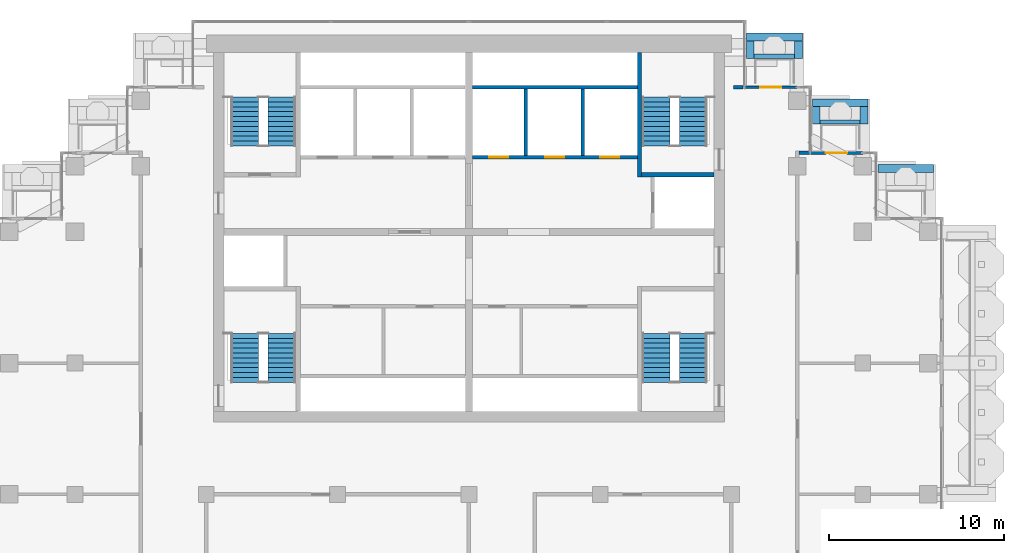
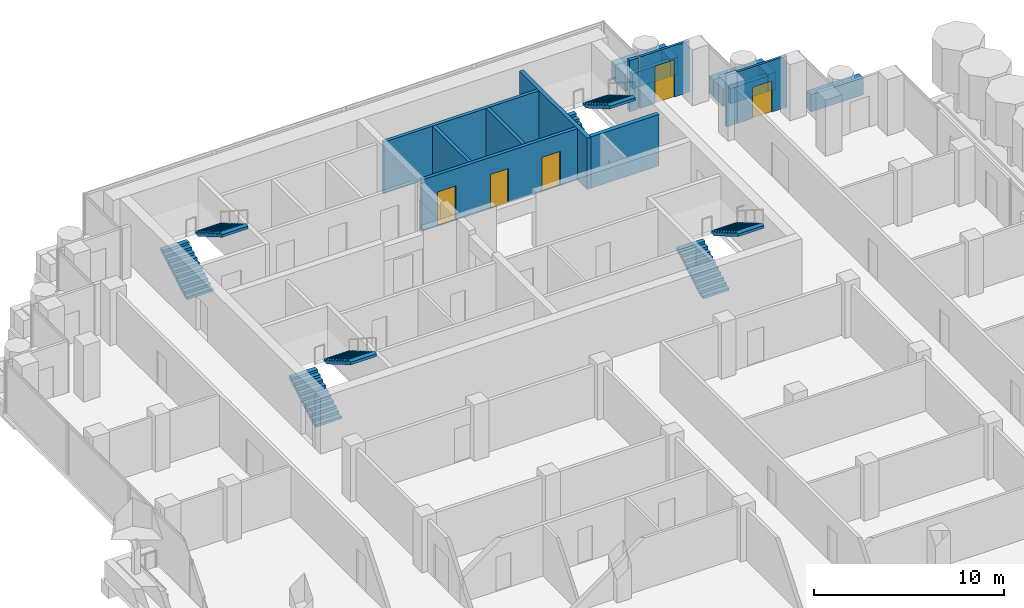
# One storey, part 14 of 18: 19 walls, 8 stair flights, 5 doors, 5 openings, 4 elements without a shape of their own.
"""IFC4 building model written with IfcOpenShell, lengths in metres."""

from ifc_helpers import new_model, si_unit, direction, frame, frame_2d, origin, place, context, subcontext, project, spatial, polyline, rectangle, outline, extrude, material, layer, layer_set, type_object, element, fill, aggregate, save


model = new_model("IFC4")

# Units and contexts
model_context = context("Model", 3, precision=1e-05, world=origin(), true_north=direction((0.0, 1.0)))
body_context = subcontext(model_context, "Body", "Model", "MODEL_VIEW")
ifc_project = project(units=[si_unit("LENGTHUNIT", "METRE"), si_unit("AREAUNIT", "SQUARE_METRE"), si_unit("VOLUMEUNIT", "CUBIC_METRE"), si_unit("PLANEANGLEUNIT", "RADIAN"), si_unit("MASSUNIT", "GRAM", prefix="KILO")], contexts=[model_context])

# Site, building, storey
site_placement = place(None, origin())
site = spatial("IfcSite", under=ifc_project, at=site_placement, CompositionType="ELEMENT")
building_placement = place(site_placement, origin())
building = spatial("IfcBuilding", under=site, at=building_placement, Name="Pilkhan Gate Tower", CompositionType="ELEMENT")
storey_placement = place(building_placement, frame((0.0, 0.0, 203.10009765625)))
storey = spatial("IfcBuildingStorey", under=building, at=storey_placement, Name="L52", CompositionType="ELEMENT", Elevation=203.10009765625)

# Walls
ifc_material_1 = material(Name="Concrete C40/50", Category="concrete")
ifc_layer_1 = layer(ifc_material_1, 0.25)
ifc_layer_set_1 = layer_set([ifc_layer_1], Name="Balcony planter BP250")
wall_type_1 = type_object("IfcWallType", Name="Balcony planter BP250", PredefinedType="USERDEFINED", material=ifc_layer_set_1)
wall_1_placement = place(storey_placement, frame((91.300048828125, 92.52490234375, 0.0), z_axis=(0.0, 0.0, 1.0), x_axis=(1.0, 0.0, 0.0)))
element("IfcWall", 1, at=wall_1_placement, inside=storey, type_object=wall_type_1, Name="Balcony planter L52 N", ObjectType="BALCONY PLANTER", PredefinedType="USERDEFINED", context=body_context, shape_type="SweptSolid", body=[
    extrude(rectangle(XDim=2.300048828125, YDim=0.25, at=frame_2d((1.14990234375, 0.0))), origin(), (0.0, 0.0, 1.0), 1.0),
])
wall_2_placement = place(storey_placement, frame((95.070068359375, 88.77490234375, 0.0), z_axis=(0.0, 0.0, 1.0), x_axis=(1.0, 0.0, 0.0)))
element("IfcWall", 2, at=wall_2_placement, inside=storey, type_object=wall_type_1, Name="Balcony planter L52 N", ObjectType="BALCONY PLANTER", PredefinedType="USERDEFINED", context=body_context, shape_type="SweptSolid", body=[
    extrude(rectangle(XDim=2.280029296875, YDim=0.25, at=frame_2d((1.14013671875, 0.0))), origin(), (0.0, 0.0, 1.0), 1.0),
])
ifc_material_2 = material(Name="Board-marked Concrete C40/50", Category="concrete")
ifc_layer_2 = layer(ifc_material_2, 0.449951171875)
ifc_layer_set_2 = layer_set([ifc_layer_2], Name="Balcony planter lip BL450")
wall_type_2 = type_object("IfcWallType", Name="Balcony planter lip BL450", PredefinedType="USERDEFINED", material=ifc_layer_set_2)
wall_3_placement = place(storey_placement, frame((90.85009765625, 93.625, 0.0), z_axis=(0.0, 0.0, 1.0), x_axis=(1.0, 0.0, 0.0)))
element("IfcWall", 3, at=wall_3_placement, inside=storey, type_object=wall_type_2, Name="Balcony planter L52 N", ObjectType="BALCONY PLANTER", PredefinedType="USERDEFINED", context=body_context, shape_type="SweptSolid", body=[
    extrude(rectangle(XDim=3.199951171875, YDim=0.449951171875, at=frame_2d((1.60009765625, 0.0))), origin(), (0.0, 0.0, 1.0), 1.099853515625),
])
for number, where, z_axis, x_axis, name in (
    (4, (91.074951171875, 92.39990234375, 0.0), (0.0, 0.0, 1.0), (0.0, 1.0, 0.0), "Balcony planter L52 N"),
    (5, (93.824951171875, 92.39990234375, 0.0), (0.0, 0.0, 1.0), (0.0, 1.0, 0.0), "Balcony planter L52 N"),
):
    element("IfcWall", number, at=place(storey_placement, frame(where, z_axis=z_axis, x_axis=x_axis)), inside=storey, type_object=wall_type_2, Name=name, ObjectType="BALCONY PLANTER", PredefinedType="USERDEFINED", context=body_context, shape_type="SweptSolid", body=[
        extrude(rectangle(XDim=1.0, YDim=0.449951171875, at=frame_2d((0.5, 0.0))), origin(), (0.0, 0.0, 1.0), 1.099853515625),
    ])
wall_4_placement = place(storey_placement, frame((94.6201171875, 89.875, 0.0), z_axis=(0.0, 0.0, 1.0), x_axis=(1.0, 0.0, 0.0)))
element("IfcWall", 6, at=wall_4_placement, inside=storey, type_object=wall_type_2, Name="Balcony planter L52 N", ObjectType="BALCONY PLANTER", PredefinedType="USERDEFINED", context=body_context, shape_type="SweptSolid", body=[
    extrude(rectangle(XDim=3.179931640625, YDim=0.449951171875, at=frame_2d((1.58984375, 0.0))), origin(), (0.0, 0.0, 1.0), 1.099853515625),
])
for number, where, z_axis, x_axis, name in (
    (7, (94.844970703125, 88.64990234375, 0.0), (0.0, 0.0, 1.0), (0.0, 1.0, 0.0), "Balcony planter L52 N"),
    (8, (97.574951171875, 88.64990234375, 0.0), (0.0, 0.0, 1.0), (0.0, 1.0, 0.0), "Balcony planter L52 N"),
):
    element("IfcWall", number, at=place(storey_placement, frame(where, z_axis=z_axis, x_axis=x_axis)), inside=storey, type_object=wall_type_2, Name=name, ObjectType="BALCONY PLANTER", PredefinedType="USERDEFINED", context=body_context, shape_type="SweptSolid", body=[
        extrude(rectangle(XDim=1.0, YDim=0.449951171875, at=frame_2d((0.5, 0.0))), origin(), (0.0, 0.0, 1.0), 1.099853515625),
    ])
wall_5_placement = place(storey_placement, frame((98.3701171875, 86.125, 0.0), z_axis=(0.0, 0.0, 1.0), x_axis=(1.0, 0.0, 0.0)))
element("IfcWall", 9, at=wall_5_placement, inside=storey, type_object=wall_type_2, Name="Balcony planter L52 N", ObjectType="BALCONY PLANTER", PredefinedType="USERDEFINED", context=body_context, shape_type="SweptSolid", body=[
    extrude(rectangle(XDim=3.179931640625, YDim=0.449951171875, at=frame_2d((1.58984375, 0.0))), origin(), (0.0, 0.0, 1.0), 1.099853515625),
])
ifc_material_3 = material(Name="Dense blockwork", Category="masonry")
ifc_layer_3 = layer(ifc_material_3, 0.199951171875)
ifc_layer_set_3 = layer_set([ifc_layer_3], Name="Corridor wall FW200")
wall_type_3 = type_object("IfcWallType", Name="Corridor wall FW200", PredefinedType="PARTITIONING", material=ifc_layer_set_3)
wall_6_placement = place(storey_placement, frame((93.85009765625, 87.030029296875, 0.0), z_axis=(0.0, 0.0, 1.0), x_axis=(1.0, 0.0, 0.0)))
element("IfcWall", 10, at=wall_6_placement, inside=storey, type_object=wall_type_3, Name="Partition L52", PredefinedType="PARTITIONING", context=body_context, shape_type="SweptSolid", body=[
    extrude(rectangle(XDim=0.639892578125, YDim=0.199951171875, at=frame_2d((0.31982421875, 0.0))), origin(), (0.0, 0.0, 1.0), 3.2998046875),
])
wall_7_placement = place(storey_placement, frame((90.1201171875, 90.764892578125, 0.0), z_axis=(0.0, 0.0, 1.0), x_axis=(1.0, 0.0, 0.0)))
element("IfcWall", 11, at=wall_7_placement, inside=storey, type_object=wall_type_3, Name="Partition L52", PredefinedType="PARTITIONING", context=body_context, shape_type="SweptSolid", body=[
    extrude(rectangle(XDim=0.52490234375, YDim=0.199951171875, at=frame_2d((0.262451171875, 0.0))), origin(), (0.0, 0.0, 1.0), 3.2998046875),
])

# Wall, opening, door
ifc_material_4 = material(Name="Pale anodised aluminium, clear laminated glazing", Category="aluminium")
ifc_layer_4 = layer(ifc_material_4, 0.14990234375)
ifc_layer_set_4 = layer_set([ifc_layer_4], Name="Facade infill wall IW150")
wall_type_4 = type_object("IfcWallType", Name="Facade infill wall IW150", PredefinedType="SOLIDWALL", material=ifc_layer_set_4)
wall_8_placement = place(storey_placement, frame((94.5, 87.0, 0.0), z_axis=(0.0, 0.0, 1.0), x_axis=(1.0, 0.0, 0.0)))
wall_8 = element("IfcWall", 12, at=wall_8_placement, inside=storey, type_object=wall_type_4, Name="Infill wall L52 N", PredefinedType="SOLIDWALL", context=body_context, shape_type="SweptSolid", body=[
    extrude(rectangle(XDim=3.0, YDim=0.14990234375, at=frame_2d((1.5, 0.0))), origin(), (0.0, 0.0, 1.0), 3.2998046875),
])
opening_1_placement = place(wall_8_placement, frame((0.89990234375, 0.0, 0.0)))
opening_1 = element("IfcOpeningElement", 13, at=opening_1_placement, cuts=wall_8, Name="Opening D1L", PredefinedType="OPENING", context=body_context, shape_type="SweptSolid", body=[
    extrude(rectangle(XDim=1.199951171875, YDim=2.0, at=frame_2d((0.60009765625, 1.0))), frame((0.0, 0.0849609375, 0.0), z_axis=(0.0, -1.0, 0.0), x_axis=(1.0, 0.0, 0.0)), (0.0, 0.0, 1.0), 0.169921875),
])
ifc_material_5 = material(Name="Pale anodised aluminium, clear glazing", Category="aluminium")
door_type_1 = type_object("IfcDoorType", Name="Balcony door D1L 1200x2000", OperationType="SINGLE_SWING_LEFT", PredefinedType="DOOR", material=ifc_material_5)
door_1_placement = place(opening_1_placement, origin())
door_1 = element("IfcDoor", 14, at=door_1_placement, inside=storey, type_object=door_type_1, Name="Balcony door L52", OperationType="SINGLE_SWING_LEFT", OverallHeight=2.0, OverallWidth=1.199951171875, PredefinedType="DOOR", context=body_context, shape_type="SweptSolid", body=[
    extrude(rectangle(XDim=1.199951171875, YDim=2.0, at=frame_2d((0.60009765625, 1.0))), frame((0.0, 0.02490234375, 0.0), z_axis=(0.0, -1.0, 0.0), x_axis=(1.0, 0.0, 0.0)), (0.0, 0.0, 1.0), 0.050048828125),
])
fill(opening_1, door_1)

wall_9_placement = place(storey_placement, frame((90.75, 90.75, 0.0), z_axis=(0.0, 0.0, 1.0), x_axis=(1.0, 0.0, 0.0)))
wall_9 = element("IfcWall", 15, at=wall_9_placement, inside=storey, type_object=wall_type_4, Name="Infill wall L52 N", PredefinedType="SOLIDWALL", context=body_context, shape_type="SweptSolid", body=[
    extrude(rectangle(XDim=3.0, YDim=0.14990234375, at=frame_2d((1.5, 0.0))), origin(), (0.0, 0.0, 1.0), 3.2998046875),
])
opening_2_placement = place(wall_9_placement, frame((0.89990234375, 0.0, 0.0)))
opening_2 = element("IfcOpeningElement", 16, at=opening_2_placement, cuts=wall_9, Name="Opening D1", PredefinedType="OPENING", context=body_context, shape_type="SweptSolid", body=[
    extrude(rectangle(XDim=1.199951171875, YDim=2.39990234375, at=frame_2d((0.60009765625, 1.199951171875))), frame((0.0, 0.0849609375, 0.0), z_axis=(0.0, -1.0, 0.0), x_axis=(1.0, 0.0, 0.0)), (0.0, 0.0, 1.0), 0.169921875),
])
door_type_2 = type_object("IfcDoorType", Name="Balcony door D1 1200x2400", OperationType="SINGLE_SWING_LEFT", PredefinedType="DOOR", material=ifc_material_5)
door_2_placement = place(opening_2_placement, origin())
door_2 = element("IfcDoor", 17, at=door_2_placement, inside=storey, type_object=door_type_2, Name="Balcony door L52", OperationType="SINGLE_SWING_LEFT", OverallHeight=2.39990234375, OverallWidth=1.199951171875, PredefinedType="DOOR", context=body_context, shape_type="SweptSolid", body=[
    extrude(rectangle(XDim=1.199951171875, YDim=2.39990234375, at=frame_2d((0.60009765625, 1.199951171875))), frame((0.0, 0.02490234375, 0.0), z_axis=(0.0, -1.0, 0.0), x_axis=(1.0, 0.0, 0.0)), (0.0, 0.0, 1.0), 0.050048828125),
])
fill(opening_2, door_2)

# Wall, openings, doors
ifc_material_6 = material(Name="Reinforced blockwork shaft wall, 120 minute fire resisting", Category="masonry")
ifc_layer_5 = layer(ifc_material_6, 0.199951171875)
ifc_layer_set_5 = layer_set([ifc_layer_5], Name="Shaft wall SW200")
wall_type_5 = type_object("IfcWallType", Name="Shaft wall SW200", PredefinedType="PARTITIONING", material=ifc_layer_set_5)
wall_10_placement = place(storey_placement, frame((75.2099609375, 86.75, 0.0), z_axis=(0.0, 0.0, 1.0), x_axis=(1.0, 0.0, 0.0)))
wall_10 = element("IfcWall", 18, at=wall_10_placement, inside=storey, type_object=wall_type_5, Name="Partition L52", PredefinedType="PARTITIONING", context=body_context, shape_type="SweptSolid", body=[
    extrude(rectangle(XDim=9.4150390625, YDim=0.199951171875, at=frame_2d((4.70751953125, 0.0))), origin(), (0.0, 0.0, 1.0), 3.2998046875),
])
opening_3_placement = place(wall_10_placement, frame((0.949951171875, 0.0, 0.0)))
opening_3 = element("IfcOpeningElement", 19, at=opening_3_placement, cuts=wall_10, Name="Opening LD", PredefinedType="OPENING", context=body_context, shape_type="SweptSolid", body=[
    extrude(rectangle(XDim=1.10009765625, YDim=2.199951171875, at=frame_2d((0.550048828125, 1.10009765625))), frame((0.0, 0.10986328125, 0.0), z_axis=(0.0, -1.0, 0.0), x_axis=(1.0, 0.0, 0.0)), (0.0, 0.0, 1.0), 0.219970703125),
])
opening_4_placement = place(wall_10_placement, frame((4.139892578125, 0.0, 0.0)))
opening_4 = element("IfcOpeningElement", 20, at=opening_4_placement, cuts=wall_10, Name="Opening LD", PredefinedType="OPENING", context=body_context, shape_type="SweptSolid", body=[
    extrude(rectangle(XDim=1.10009765625, YDim=2.199951171875, at=frame_2d((0.550048828125, 1.10009765625))), frame((0.0, 0.10986328125, 0.0), z_axis=(0.0, -1.0, 0.0), x_axis=(1.0, 0.0, 0.0)), (0.0, 0.0, 1.0), 0.219970703125),
])
opening_5_placement = place(wall_10_placement, frame((7.2900390625, 0.0, 0.0)))
opening_5 = element("IfcOpeningElement", 21, at=opening_5_placement, cuts=wall_10, Name="Opening LD", PredefinedType="OPENING", context=body_context, shape_type="SweptSolid", body=[
    extrude(rectangle(XDim=1.10009765625, YDim=2.199951171875, at=frame_2d((0.550048828125, 1.10009765625))), frame((0.0, 0.10986328125, 0.0), z_axis=(0.0, -1.0, 0.0), x_axis=(1.0, 0.0, 0.0)), (0.0, 0.0, 1.0), 0.219970703125),
])
ifc_material_7 = material(Name="Stainless steel centre-opening landing door, 120 minute fire resisting", Category="steel")
door_type_3 = type_object("IfcDoorType", Name="Lift landing door LD 1100x2200", OperationType="DOUBLE_DOOR_SLIDING", PredefinedType="DOOR", material=ifc_material_7)
door_3_placement = place(opening_3_placement, origin())
door_3 = element("IfcDoor", 22, at=door_3_placement, inside=storey, type_object=door_type_3, Name="Landing door HR1", OperationType="DOUBLE_DOOR_SLIDING", OverallHeight=2.199951171875, OverallWidth=1.10009765625, PredefinedType="DOOR", context=body_context, shape_type="SweptSolid", body=[
    extrude(rectangle(XDim=1.10009765625, YDim=2.199951171875, at=frame_2d((0.550048828125, 1.10009765625))), frame((0.0, 0.02490234375, 0.0), z_axis=(0.0, -1.0, 0.0), x_axis=(1.0, 0.0, 0.0)), (0.0, 0.0, 1.0), 0.050048828125),
])
fill(opening_3, door_3)
door_4_placement = place(opening_4_placement, origin())
door_4 = element("IfcDoor", 23, at=door_4_placement, inside=storey, type_object=door_type_3, Name="Landing door HR2", OperationType="DOUBLE_DOOR_SLIDING", OverallHeight=2.199951171875, OverallWidth=1.10009765625, PredefinedType="DOOR", context=body_context, shape_type="SweptSolid", body=[
    extrude(rectangle(XDim=1.10009765625, YDim=2.199951171875, at=frame_2d((0.550048828125, 1.10009765625))), frame((0.0, 0.02490234375, 0.0), z_axis=(0.0, -1.0, 0.0), x_axis=(1.0, 0.0, 0.0)), (0.0, 0.0, 1.0), 0.050048828125),
])
fill(opening_4, door_4)
door_5_placement = place(opening_5_placement, origin())
door_5 = element("IfcDoor", 24, at=door_5_placement, inside=storey, type_object=door_type_3, Name="Landing door HR3", OperationType="DOUBLE_DOOR_SLIDING", OverallHeight=2.199951171875, OverallWidth=1.10009765625, PredefinedType="DOOR", context=body_context, shape_type="SweptSolid", body=[
    extrude(rectangle(XDim=1.10009765625, YDim=2.199951171875, at=frame_2d((0.550048828125, 1.10009765625))), frame((0.0, 0.02490234375, 0.0), z_axis=(0.0, -1.0, 0.0), x_axis=(1.0, 0.0, 0.0)), (0.0, 0.0, 1.0), 0.050048828125),
])
fill(opening_5, door_5)

# Walls
wall_11_placement = place(storey_placement, frame((75.2099609375, 90.75, 0.0), z_axis=(0.0, 0.0, 1.0), x_axis=(1.0, 0.0, 0.0)))
element("IfcWall", 25, at=wall_11_placement, inside=storey, type_object=wall_type_5, Name="Partition L52", PredefinedType="PARTITIONING", context=body_context, shape_type="SweptSolid", body=[
    extrude(rectangle(XDim=9.4150390625, YDim=0.199951171875, at=frame_2d((4.70751953125, 0.0))), origin(), (0.0, 0.0, 1.0), 3.2998046875),
])
for number, where, z_axis, x_axis, name in (
    (26, (78.25, 86.85009765625, 0.0), (0.0, 0.0, 1.0), (0.0, 1.0, 0.0), "Partition L52"),
    (27, (81.5, 86.85009765625, 0.0), (0.0, 0.0, 1.0), (0.0, 1.0, 0.0), "Partition L52"),
):
    element("IfcWall", number, at=place(storey_placement, frame(where, z_axis=z_axis, x_axis=x_axis)), inside=storey, type_object=wall_type_5, Name=name, PredefinedType="PARTITIONING", context=body_context, shape_type="SweptSolid", body=[
        extrude(rectangle(XDim=3.7998046875, YDim=0.199951171875, at=frame_2d((1.89990234375, 0.0))), origin(), (0.0, 0.0, 1.0), 3.2998046875),
    ])
ifc_material_8 = material(Name="Reinforced blockwork, 120 minute fire resisting", Category="masonry")
ifc_layer_6 = layer(ifc_material_8, 0.25)
ifc_layer_set_6 = layer_set([ifc_layer_6], Name="Stair enclosure wall SE250")
wall_type_6 = type_object("IfcWallType", Name="Stair enclosure wall SE250", PredefinedType="PARTITIONING", material=ifc_layer_set_6)
wall_12_placement = place(storey_placement, frame((84.875, 85.75, 0.0), z_axis=(0.0, 0.0, 1.0), x_axis=(1.0, 0.0, 0.0)))
element("IfcWall", 28, at=wall_12_placement, inside=storey, type_object=wall_type_6, Name="Partition L52", PredefinedType="PARTITIONING", context=body_context, shape_type="SweptSolid", body=[
    extrude(rectangle(XDim=4.114990234375, YDim=0.25, at=frame_2d((2.0576171875, 0.0))), origin(), (0.0, 0.0, 1.0), 3.2998046875),
])
wall_13_placement = place(storey_placement, frame((84.75, 85.625, 0.0), z_axis=(0.0, 0.0, 1.0), x_axis=(0.0, 1.0, 0.0)))
element("IfcWall", 29, at=wall_13_placement, inside=storey, type_object=wall_type_6, Name="Partition L52", PredefinedType="PARTITIONING", context=body_context, shape_type="SweptSolid", body=[
    extrude(rectangle(XDim=7.114990234375, YDim=0.25, at=frame_2d((3.5576171875, 0.0))), origin(), (0.0, 0.0, 1.0), 3.2998046875),
])

# Stair, stair flights
ifc_material_9 = material(Name="Concrete C40/50 precast", Category="concrete")
stair_type_1 = type_object("IfcStairType", Name="Stair ST1 164x280", PredefinedType="HALF_TURN_STAIR", material=ifc_material_9)
stair_1_placement = place(storey_placement, origin())
stair_1 = element("IfcStair", 30, at=stair_1_placement, inside=storey, type_object=stair_type_1, Name="Stair ST1 L52", PredefinedType="HALF_TURN_STAIR")
stair_flight_type_1 = type_object("IfcStairFlightType", Name="Stair flight ST1 164x280x11", PredefinedType="STRAIGHT", material=ifc_material_9)
stair_flight_1_placement = place(storey_placement, frame((85.68994140625, 73.89990234375, 0.0), z_axis=(0.0, 0.0, 1.0), x_axis=(0.0, 1.0, 0.0)))
stair_flight_1 = element("IfcStairFlight", 31, at=stair_flight_1_placement, type_object=stair_flight_type_1, Name="ST1 flight 1", NumberOfRisers=11, NumberOfTreads=10, PredefinedType="STRAIGHT", RiserHeight=0.163636364, TreadLength=0.28, context=body_context, shape_type="SweptSolid", body=[
    extrude(outline(polyline([(0.0, 0.0), (0.0, 0.16357421875), (0.280029296875, 0.16357421875), (0.280029296875, 0.327392578125), (0.56005859375, 0.327392578125), (0.56005859375, 0.490966796875), (0.840087890625, 0.490966796875), (0.840087890625, 0.654541015625), (1.1201171875, 0.654541015625), (1.1201171875, 0.818115234375), (1.39990234375, 0.818115234375), (1.39990234375, 0.98193359375), (1.679931640625, 0.98193359375), (1.679931640625, 1.1455078125), (1.9599609375, 1.1455078125), (1.9599609375, 1.30908203125), (2.239990234375, 1.30908203125), (2.239990234375, 1.47265625), (2.52001953125, 1.47265625), (2.52001953125, 1.636474609375), (2.800048828125, 1.636474609375), (2.800048828125, 1.800048828125), (2.800048828125, 1.462646484375), (0.297119140625, 0.0), (0.0, 0.0)])), frame((0.0, 0.7900390625, 0.0), z_axis=(0.0, -1.0, 0.0), x_axis=(1.0, 0.0, 0.0)), (0.0, 0.0, 1.0), 1.580078125),
])
stair_flight_2_placement = place(storey_placement, frame((87.81005859375, 76.699951171875, 1.7998046875), z_axis=(0.0, 0.0, 1.0), x_axis=(0.0, -1.0, 0.0)))
stair_flight_2 = element("IfcStairFlight", 32, at=stair_flight_2_placement, type_object=stair_flight_type_1, Name="ST1 flight 2", NumberOfRisers=11, NumberOfTreads=10, PredefinedType="STRAIGHT", RiserHeight=0.163636364, TreadLength=0.28, context=body_context, shape_type="SweptSolid", body=[
    extrude(outline(polyline([(0.0, 0.0), (0.0, 0.16357421875), (0.280029296875, 0.16357421875), (0.280029296875, 0.327392578125), (0.56005859375, 0.327392578125), (0.56005859375, 0.490966796875), (0.840087890625, 0.490966796875), (0.840087890625, 0.654541015625), (1.1201171875, 0.654541015625), (1.1201171875, 0.818115234375), (1.39990234375, 0.818115234375), (1.39990234375, 0.98193359375), (1.679931640625, 0.98193359375), (1.679931640625, 1.1455078125), (1.9599609375, 1.1455078125), (1.9599609375, 1.30908203125), (2.239990234375, 1.30908203125), (2.239990234375, 1.47265625), (2.52001953125, 1.47265625), (2.52001953125, 1.636474609375), (2.800048828125, 1.636474609375), (2.800048828125, 1.800048828125), (2.800048828125, 1.462646484375), (0.297119140625, 0.0), (0.0, 0.0)])), frame((0.0, 0.7900390625, 0.0), z_axis=(0.0, -1.0, 0.0), x_axis=(1.0, 0.0, 0.0)), (0.0, 0.0, 1.0), 1.580078125),
])
aggregate(stair_1, [stair_flight_1, stair_flight_2])

stair_type_2 = type_object("IfcStairType", Name="Stair ST2 164x280", PredefinedType="HALF_TURN_STAIR", material=ifc_material_9)
stair_2_placement = place(storey_placement, origin())
stair_2 = element("IfcStair", 33, at=stair_2_placement, inside=storey, type_object=stair_type_2, Name="Stair ST2 L52", PredefinedType="HALF_TURN_STAIR")
stair_flight_type_2 = type_object("IfcStairFlightType", Name="Stair flight ST2 164x280x11", PredefinedType="STRAIGHT", material=ifc_material_9)
stair_flight_3_placement = place(storey_placement, frame((62.18994140625, 73.89990234375, 0.0), z_axis=(0.0, 0.0, 1.0), x_axis=(0.0, 1.0, 0.0)))
stair_flight_3 = element("IfcStairFlight", 34, at=stair_flight_3_placement, type_object=stair_flight_type_2, Name="ST2 flight 1", NumberOfRisers=11, NumberOfTreads=10, PredefinedType="STRAIGHT", RiserHeight=0.163636364, TreadLength=0.28, context=body_context, shape_type="SweptSolid", body=[
    extrude(outline(polyline([(0.0, 0.0), (0.0, 0.16357421875), (0.280029296875, 0.16357421875), (0.280029296875, 0.327392578125), (0.56005859375, 0.327392578125), (0.56005859375, 0.490966796875), (0.840087890625, 0.490966796875), (0.840087890625, 0.654541015625), (1.1201171875, 0.654541015625), (1.1201171875, 0.818115234375), (1.39990234375, 0.818115234375), (1.39990234375, 0.98193359375), (1.679931640625, 0.98193359375), (1.679931640625, 1.1455078125), (1.9599609375, 1.1455078125), (1.9599609375, 1.30908203125), (2.239990234375, 1.30908203125), (2.239990234375, 1.47265625), (2.52001953125, 1.47265625), (2.52001953125, 1.636474609375), (2.800048828125, 1.636474609375), (2.800048828125, 1.800048828125), (2.800048828125, 1.462646484375), (0.297119140625, 0.0), (0.0, 0.0)])), frame((0.0, 0.7900390625, 0.0), z_axis=(0.0, -1.0, 0.0), x_axis=(1.0, 0.0, 0.0)), (0.0, 0.0, 1.0), 1.580078125),
])
stair_flight_4_placement = place(storey_placement, frame((64.31005859375, 76.699951171875, 1.7998046875), z_axis=(0.0, 0.0, 1.0), x_axis=(0.0, -1.0, 0.0)))
stair_flight_4 = element("IfcStairFlight", 35, at=stair_flight_4_placement, type_object=stair_flight_type_2, Name="ST2 flight 2", NumberOfRisers=11, NumberOfTreads=10, PredefinedType="STRAIGHT", RiserHeight=0.163636364, TreadLength=0.28, context=body_context, shape_type="SweptSolid", body=[
    extrude(outline(polyline([(0.0, 0.0), (0.0, 0.16357421875), (0.280029296875, 0.16357421875), (0.280029296875, 0.327392578125), (0.56005859375, 0.327392578125), (0.56005859375, 0.490966796875), (0.840087890625, 0.490966796875), (0.840087890625, 0.654541015625), (1.1201171875, 0.654541015625), (1.1201171875, 0.818115234375), (1.39990234375, 0.818115234375), (1.39990234375, 0.98193359375), (1.679931640625, 0.98193359375), (1.679931640625, 1.1455078125), (1.9599609375, 1.1455078125), (1.9599609375, 1.30908203125), (2.239990234375, 1.30908203125), (2.239990234375, 1.47265625), (2.52001953125, 1.47265625), (2.52001953125, 1.636474609375), (2.800048828125, 1.636474609375), (2.800048828125, 1.800048828125), (2.800048828125, 1.462646484375), (0.297119140625, 0.0), (0.0, 0.0)])), frame((0.0, 0.7900390625, 0.0), z_axis=(0.0, -1.0, 0.0), x_axis=(1.0, 0.0, 0.0)), (0.0, 0.0, 1.0), 1.580078125),
])
aggregate(stair_2, [stair_flight_3, stair_flight_4])

stair_type_3 = type_object("IfcStairType", Name="Stair ST3 164x280", PredefinedType="HALF_TURN_STAIR", material=ifc_material_9)
stair_3_placement = place(storey_placement, origin())
stair_3 = element("IfcStair", 36, at=stair_3_placement, inside=storey, type_object=stair_type_3, Name="Stair ST3 L52", PredefinedType="HALF_TURN_STAIR")
stair_flight_type_3 = type_object("IfcStairFlightType", Name="Stair flight ST3 164x280x11", PredefinedType="STRAIGHT", material=ifc_material_9)
stair_flight_5_placement = place(storey_placement, frame((62.18994140625, 87.39990234375, 0.0), z_axis=(0.0, 0.0, 1.0), x_axis=(0.0, 1.0, 0.0)))
stair_flight_5 = element("IfcStairFlight", 37, at=stair_flight_5_placement, type_object=stair_flight_type_3, Name="ST3 flight 1", NumberOfRisers=11, NumberOfTreads=10, PredefinedType="STRAIGHT", RiserHeight=0.163636364, TreadLength=0.28, context=body_context, shape_type="SweptSolid", body=[
    extrude(outline(polyline([(0.0, 0.0), (0.0, 0.16357421875), (0.280029296875, 0.16357421875), (0.280029296875, 0.327392578125), (0.56005859375, 0.327392578125), (0.56005859375, 0.490966796875), (0.840087890625, 0.490966796875), (0.840087890625, 0.654541015625), (1.1201171875, 0.654541015625), (1.1201171875, 0.818115234375), (1.39990234375, 0.818115234375), (1.39990234375, 0.98193359375), (1.679931640625, 0.98193359375), (1.679931640625, 1.1455078125), (1.9599609375, 1.1455078125), (1.9599609375, 1.30908203125), (2.239990234375, 1.30908203125), (2.239990234375, 1.47265625), (2.52001953125, 1.47265625), (2.52001953125, 1.636474609375), (2.800048828125, 1.636474609375), (2.800048828125, 1.800048828125), (2.800048828125, 1.462646484375), (0.297119140625, 0.0), (0.0, 0.0)])), frame((0.0, 0.7900390625, 0.0), z_axis=(0.0, -1.0, 0.0), x_axis=(1.0, 0.0, 0.0)), (0.0, 0.0, 1.0), 1.580078125),
])
stair_flight_6_placement = place(storey_placement, frame((64.31005859375, 90.199951171875, 1.7998046875), z_axis=(0.0, 0.0, 1.0), x_axis=(0.0, -1.0, 0.0)))
stair_flight_6 = element("IfcStairFlight", 38, at=stair_flight_6_placement, type_object=stair_flight_type_3, Name="ST3 flight 2", NumberOfRisers=11, NumberOfTreads=10, PredefinedType="STRAIGHT", RiserHeight=0.163636364, TreadLength=0.28, context=body_context, shape_type="SweptSolid", body=[
    extrude(outline(polyline([(0.0, 0.0), (0.0, 0.16357421875), (0.280029296875, 0.16357421875), (0.280029296875, 0.327392578125), (0.56005859375, 0.327392578125), (0.56005859375, 0.490966796875), (0.840087890625, 0.490966796875), (0.840087890625, 0.654541015625), (1.1201171875, 0.654541015625), (1.1201171875, 0.818115234375), (1.39990234375, 0.818115234375), (1.39990234375, 0.98193359375), (1.679931640625, 0.98193359375), (1.679931640625, 1.1455078125), (1.9599609375, 1.1455078125), (1.9599609375, 1.30908203125), (2.239990234375, 1.30908203125), (2.239990234375, 1.47265625), (2.52001953125, 1.47265625), (2.52001953125, 1.636474609375), (2.800048828125, 1.636474609375), (2.800048828125, 1.800048828125), (2.800048828125, 1.462646484375), (0.297119140625, 0.0), (0.0, 0.0)])), frame((0.0, 0.7900390625, 0.0), z_axis=(0.0, -1.0, 0.0), x_axis=(1.0, 0.0, 0.0)), (0.0, 0.0, 1.0), 1.580078125),
])
aggregate(stair_3, [stair_flight_5, stair_flight_6])

stair_type_4 = type_object("IfcStairType", Name="Stair ST4 164x280", PredefinedType="HALF_TURN_STAIR", material=ifc_material_9)
stair_4_placement = place(storey_placement, origin())
stair_4 = element("IfcStair", 39, at=stair_4_placement, inside=storey, type_object=stair_type_4, Name="Stair ST4 L52", PredefinedType="HALF_TURN_STAIR")
stair_flight_type_4 = type_object("IfcStairFlightType", Name="Stair flight ST4 164x280x11", PredefinedType="STRAIGHT", material=ifc_material_9)
stair_flight_7_placement = place(storey_placement, frame((85.68994140625, 87.39990234375, 0.0), z_axis=(0.0, 0.0, 1.0), x_axis=(0.0, 1.0, 0.0)))
stair_flight_7 = element("IfcStairFlight", 40, at=stair_flight_7_placement, type_object=stair_flight_type_4, Name="ST4 flight 1", NumberOfRisers=11, NumberOfTreads=10, PredefinedType="STRAIGHT", RiserHeight=0.163636364, TreadLength=0.28, context=body_context, shape_type="SweptSolid", body=[
    extrude(outline(polyline([(0.0, 0.0), (0.0, 0.16357421875), (0.280029296875, 0.16357421875), (0.280029296875, 0.327392578125), (0.56005859375, 0.327392578125), (0.56005859375, 0.490966796875), (0.840087890625, 0.490966796875), (0.840087890625, 0.654541015625), (1.1201171875, 0.654541015625), (1.1201171875, 0.818115234375), (1.39990234375, 0.818115234375), (1.39990234375, 0.98193359375), (1.679931640625, 0.98193359375), (1.679931640625, 1.1455078125), (1.9599609375, 1.1455078125), (1.9599609375, 1.30908203125), (2.239990234375, 1.30908203125), (2.239990234375, 1.47265625), (2.52001953125, 1.47265625), (2.52001953125, 1.636474609375), (2.800048828125, 1.636474609375), (2.800048828125, 1.800048828125), (2.800048828125, 1.462646484375), (0.297119140625, 0.0), (0.0, 0.0)])), frame((0.0, 0.7900390625, 0.0), z_axis=(0.0, -1.0, 0.0), x_axis=(1.0, 0.0, 0.0)), (0.0, 0.0, 1.0), 1.580078125),
])
stair_flight_8_placement = place(storey_placement, frame((87.81005859375, 90.199951171875, 1.7998046875), z_axis=(0.0, 0.0, 1.0), x_axis=(0.0, -1.0, 0.0)))
stair_flight_8 = element("IfcStairFlight", 41, at=stair_flight_8_placement, type_object=stair_flight_type_4, Name="ST4 flight 2", NumberOfRisers=11, NumberOfTreads=10, PredefinedType="STRAIGHT", RiserHeight=0.163636364, TreadLength=0.28, context=body_context, shape_type="SweptSolid", body=[
    extrude(outline(polyline([(0.0, 0.0), (0.0, 0.16357421875), (0.280029296875, 0.16357421875), (0.280029296875, 0.327392578125), (0.56005859375, 0.327392578125), (0.56005859375, 0.490966796875), (0.840087890625, 0.490966796875), (0.840087890625, 0.654541015625), (1.1201171875, 0.654541015625), (1.1201171875, 0.818115234375), (1.39990234375, 0.818115234375), (1.39990234375, 0.98193359375), (1.679931640625, 0.98193359375), (1.679931640625, 1.1455078125), (1.9599609375, 1.1455078125), (1.9599609375, 1.30908203125), (2.239990234375, 1.30908203125), (2.239990234375, 1.47265625), (2.52001953125, 1.47265625), (2.52001953125, 1.636474609375), (2.800048828125, 1.636474609375), (2.800048828125, 1.800048828125), (2.800048828125, 1.462646484375), (0.297119140625, 0.0), (0.0, 0.0)])), frame((0.0, 0.7900390625, 0.0), z_axis=(0.0, -1.0, 0.0), x_axis=(1.0, 0.0, 0.0)), (0.0, 0.0, 1.0), 1.580078125),
])
aggregate(stair_4, [stair_flight_7, stair_flight_8])

save(model, "model.ifc")
